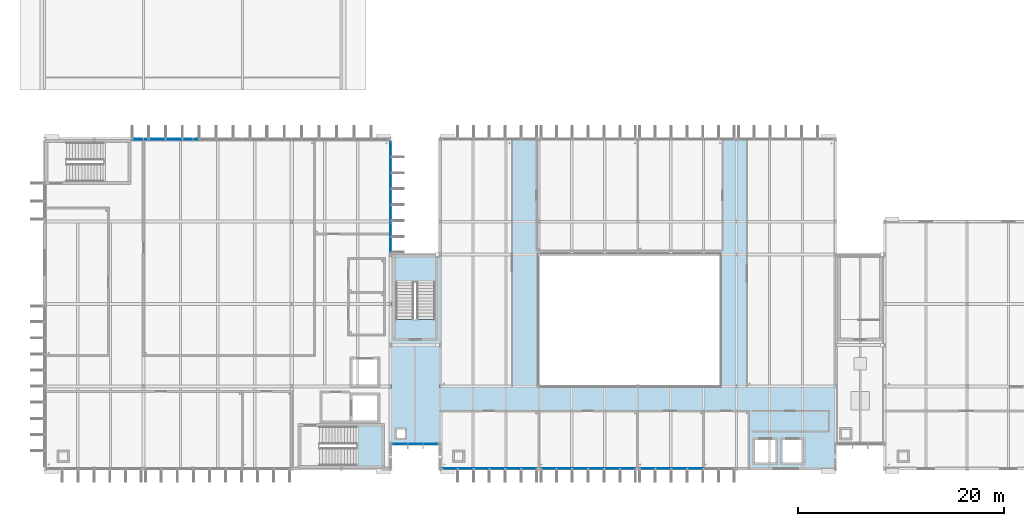
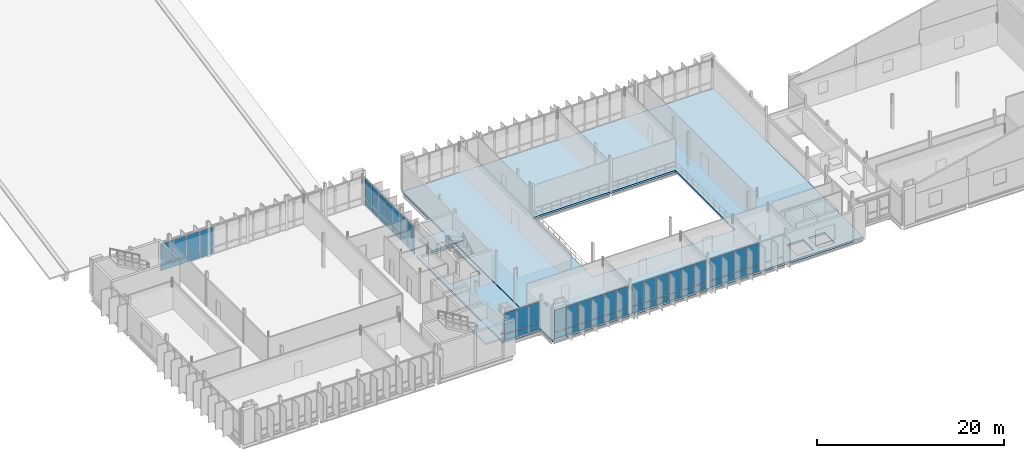
# One storey, part 28 of 59: 60 plates, 4 slabs, 8 elements without a shape of their own.
"""IFC4 building model written with IfcOpenShell, lengths in metres."""

from ifc_helpers import new_model, si_unit, direction, frame, origin, origin_2d, place, context, subcontext, project, spatial, polyline, rectangle, outline, extrude, material, layer, layer_set, type_object, element, aggregate, save


model = new_model("IFC4")

# Units and contexts
model_context = context("Model", 3, precision=1e-05, world=origin(), true_north=direction((0.0, 1.0)))
body_context = subcontext(model_context, "Body", "Model", "MODEL_VIEW")
ifc_project = project(units=[si_unit("LENGTHUNIT", "METRE"), si_unit("AREAUNIT", "SQUARE_METRE"), si_unit("VOLUMEUNIT", "CUBIC_METRE"), si_unit("PLANEANGLEUNIT", "RADIAN"), si_unit("MASSUNIT", "GRAM", prefix="KILO")], contexts=[model_context])

# Site, building, storey
site_placement = place(None, origin())
site = spatial("IfcSite", under=ifc_project, at=site_placement, CompositionType="ELEMENT")
building_placement = place(site_placement, origin())
building = spatial("IfcBuilding", under=site, at=building_placement, Name="Dunescarp Central Library", CompositionType="ELEMENT")
storey_placement = place(building_placement, frame((0.0, 0.0, 18.60009765625)))
storey = spatial("IfcBuildingStorey", under=building, at=storey_placement, Name="L04", CompositionType="ELEMENT", Elevation=18.60009765625)

# Curtain wall, plates
ifc_material_1 = material(Name="Marine-grade anodised aluminium 6063-T6", Category="aluminium")
curtain_wall_type_1 = type_object("IfcCurtainWallType", Name="ARC-CW-STICK", PredefinedType="NOTDEFINED", material=ifc_material_1)
curtain_wall_1_placement = place(storey_placement, origin())
curtain_wall_1 = element("IfcCurtainWall", 1, at=curtain_wall_1_placement, inside=storey, type_object=curtain_wall_type_1, Name="L04 curtain wall CW-V1-027", PredefinedType="NOTDEFINED")
ifc_material_2 = material(Name="Solar-control laminated double glazing", Category="glass")
ifc_layer_1 = layer(ifc_material_2, 0.028076171875)
ifc_layer_set_1 = layer_set([ifc_layer_1], Name="Solar-control laminated double glazing")
plate_type_1 = type_object("IfcPlateType", Name="ARC-PLT-GLZ28", PredefinedType="CURTAIN_PANEL", material=ifc_layer_set_1)
plate_1_placement = place(storey_placement, frame((9.2919921875, 36.800048828125, 0.93994140625), z_axis=(0.0, 0.0, 1.0), x_axis=(1.0, 0.0, 0.0)))
plate_1 = element("IfcPlate", 2, at=plate_1_placement, type_object=plate_type_1, Name="CW-V1-027 panel 1.2", PredefinedType="CURTAIN_PANEL", context=body_context, shape_type="SweptSolid", body=[
    extrude(rectangle(XDim=1.523681640625, YDim=0.028076171875, at=origin_2d()), origin(), (0.0, 0.0, 1.0), 2.64501953125),
])
plate_2_placement = place(storey_placement, frame((10.91552734375, 36.800048828125, 0.93994140625), z_axis=(0.0, 0.0, 1.0), x_axis=(1.0, 0.0, 0.0)))
plate_2 = element("IfcPlate", 3, at=plate_2_placement, type_object=plate_type_1, Name="CW-V1-027 panel 2.2", PredefinedType="CURTAIN_PANEL", context=body_context, shape_type="SweptSolid", body=[
    extrude(rectangle(XDim=1.563720703125, YDim=0.028076171875, at=origin_2d()), origin(), (0.0, 0.0, 1.0), 2.64501953125),
])
plate_3_placement = place(storey_placement, frame((12.559326171875, 36.800048828125, 0.93994140625), z_axis=(0.0, 0.0, 1.0), x_axis=(1.0, 0.0, 0.0)))
plate_3 = element("IfcPlate", 4, at=plate_3_placement, type_object=plate_type_1, Name="CW-V1-027 panel 3.2", PredefinedType="CURTAIN_PANEL", context=body_context, shape_type="SweptSolid", body=[
    extrude(rectangle(XDim=1.563720703125, YDim=0.028076171875, at=origin_2d()), origin(), (0.0, 0.0, 1.0), 2.64501953125),
])
plate_4_placement = place(storey_placement, frame((14.203125, 36.800048828125, 0.93994140625), z_axis=(0.0, 0.0, 1.0), x_axis=(1.0, 0.0, 0.0)))
plate_4 = element("IfcPlate", 5, at=plate_4_placement, type_object=plate_type_1, Name="CW-V1-027 panel 4.2", PredefinedType="CURTAIN_PANEL", context=body_context, shape_type="SweptSolid", body=[
    extrude(rectangle(XDim=1.563720703125, YDim=0.028076171875, at=origin_2d()), origin(), (0.0, 0.0, 1.0), 2.64501953125),
])

curtain_wall_2_placement = place(storey_placement, origin())
curtain_wall_2 = element("IfcCurtainWall", 6, at=curtain_wall_2_placement, inside=storey, type_object=curtain_wall_type_1, Name="L04 curtain wall CW-V1-030", PredefinedType="NOTDEFINED")
plate_5_placement = place(storey_placement, frame((33.60009765625, 35.830078125, 0.93994140625), z_axis=(0.0, 0.0, 1.0), x_axis=(0.0, -1.0, 0.0)))
plate_5 = element("IfcPlate", 7, at=plate_5_placement, type_object=plate_type_1, Name="CW-V1-030 panel 1.2", PredefinedType="CURTAIN_PANEL", context=body_context, shape_type="SweptSolid", body=[
    extrude(rectangle(XDim=1.429931640625, YDim=0.028076171875, at=origin_2d()), origin(), (0.0, 0.0, 1.0), 2.64501953125),
])
plate_6_placement = place(storey_placement, frame((33.60009765625, 34.300048828125, 0.93994140625), z_axis=(0.0, 0.0, 1.0), x_axis=(0.0, -1.0, 0.0)))
plate_6 = element("IfcPlate", 8, at=plate_6_placement, type_object=plate_type_1, Name="CW-V1-030 panel 2.2", PredefinedType="CURTAIN_PANEL", context=body_context, shape_type="SweptSolid", body=[
    extrude(rectangle(XDim=1.469970703125, YDim=0.028076171875, at=origin_2d()), origin(), (0.0, 0.0, 1.0), 2.64501953125),
])
plate_7_placement = place(storey_placement, frame((33.60009765625, 32.75, 0.93994140625), z_axis=(0.0, 0.0, 1.0), x_axis=(0.0, -1.0, 0.0)))
plate_7 = element("IfcPlate", 9, at=plate_7_placement, type_object=plate_type_1, Name="CW-V1-030 panel 3.2", PredefinedType="CURTAIN_PANEL", context=body_context, shape_type="SweptSolid", body=[
    extrude(rectangle(XDim=1.469970703125, YDim=0.028076171875, at=origin_2d()), origin(), (0.0, 0.0, 1.0), 2.64501953125),
])
plate_8_placement = place(storey_placement, frame((33.60009765625, 31.199951171875, 0.93994140625), z_axis=(0.0, 0.0, 1.0), x_axis=(0.0, -1.0, 0.0)))
plate_8 = element("IfcPlate", 10, at=plate_8_placement, type_object=plate_type_1, Name="CW-V1-030 panel 4.2", PredefinedType="CURTAIN_PANEL", context=body_context, shape_type="SweptSolid", body=[
    extrude(rectangle(XDim=1.469970703125, YDim=0.028076171875, at=origin_2d()), origin(), (0.0, 0.0, 1.0), 2.64501953125),
])
plate_9_placement = place(storey_placement, frame((33.60009765625, 29.64990234375, 0.93994140625), z_axis=(0.0, 0.0, 1.0), x_axis=(0.0, -1.0, 0.0)))
plate_9 = element("IfcPlate", 11, at=plate_9_placement, type_object=plate_type_1, Name="CW-V1-030 panel 5.2", PredefinedType="CURTAIN_PANEL", context=body_context, shape_type="SweptSolid", body=[
    extrude(rectangle(XDim=1.469970703125, YDim=0.028076171875, at=origin_2d()), origin(), (0.0, 0.0, 1.0), 2.64501953125),
])
plate_10_placement = place(storey_placement, frame((33.60009765625, 28.10009765625, 0.93994140625), z_axis=(0.0, 0.0, 1.0), x_axis=(0.0, -1.0, 0.0)))
plate_10 = element("IfcPlate", 12, at=plate_10_placement, type_object=plate_type_1, Name="CW-V1-030 panel 6.2", PredefinedType="CURTAIN_PANEL", context=body_context, shape_type="SweptSolid", body=[
    extrude(rectangle(XDim=1.469970703125, YDim=0.028076171875, at=origin_2d()), origin(), (0.0, 0.0, 1.0), 2.64501953125),
])
plate_11_placement = place(storey_placement, frame((33.60009765625, 26.570068359375, 0.93994140625), z_axis=(0.0, 0.0, 1.0), x_axis=(0.0, -1.0, 0.0)))
plate_11 = element("IfcPlate", 13, at=plate_11_placement, type_object=plate_type_1, Name="CW-V1-030 panel 7.2", PredefinedType="CURTAIN_PANEL", context=body_context, shape_type="SweptSolid", body=[
    extrude(rectangle(XDim=1.429931640625, YDim=0.028076171875, at=origin_2d()), origin(), (0.0, 0.0, 1.0), 2.64501953125),
])

curtain_wall_3_placement = place(storey_placement, origin())
curtain_wall_3 = element("IfcCurtainWall", 14, at=curtain_wall_3_placement, inside=storey, type_object=curtain_wall_type_1, Name="L04 curtain wall CW-V2-067", PredefinedType="NOTDEFINED")
plate_12_placement = place(storey_placement, frame((47.0341796875, 4.800048828125, 0.93994140625), z_axis=(0.0, 0.0, 1.0), x_axis=(-1.0, 0.0, 0.0)))
plate_12 = element("IfcPlate", 15, at=plate_12_placement, type_object=plate_type_1, Name="CW-V2-067 panel 1.2", PredefinedType="CURTAIN_PANEL", context=body_context, shape_type="SweptSolid", body=[
    extrude(rectangle(XDim=1.421630859375, YDim=0.028076171875, at=origin_2d()), origin(), (0.0, 0.0, 1.0), 2.8349609375),
])
plate_13_placement = place(storey_placement, frame((45.512451171875, 4.800048828125, 0.93994140625), z_axis=(0.0, 0.0, 1.0), x_axis=(-1.0, 0.0, 0.0)))
plate_13 = element("IfcPlate", 16, at=plate_13_placement, type_object=plate_type_1, Name="CW-V2-067 panel 2.2", PredefinedType="CURTAIN_PANEL", context=body_context, shape_type="SweptSolid", body=[
    extrude(rectangle(XDim=1.461669921875, YDim=0.028076171875, at=origin_2d()), origin(), (0.0, 0.0, 1.0), 2.8349609375),
])
plate_14_placement = place(storey_placement, frame((43.970947265625, 4.800048828125, 0.93994140625), z_axis=(0.0, 0.0, 1.0), x_axis=(-1.0, 0.0, 0.0)))
plate_14 = element("IfcPlate", 17, at=plate_14_placement, type_object=plate_type_1, Name="CW-V2-067 panel 3.2", PredefinedType="CURTAIN_PANEL", context=body_context, shape_type="SweptSolid", body=[
    extrude(rectangle(XDim=1.461669921875, YDim=0.028076171875, at=origin_2d()), origin(), (0.0, 0.0, 1.0), 2.8349609375),
])
plate_15_placement = place(storey_placement, frame((42.42919921875, 4.800048828125, 0.93994140625), z_axis=(0.0, 0.0, 1.0), x_axis=(-1.0, 0.0, 0.0)))
plate_15 = element("IfcPlate", 18, at=plate_15_placement, type_object=plate_type_1, Name="CW-V2-067 panel 4.2", PredefinedType="CURTAIN_PANEL", context=body_context, shape_type="SweptSolid", body=[
    extrude(rectangle(XDim=1.461669921875, YDim=0.028076171875, at=origin_2d()), origin(), (0.0, 0.0, 1.0), 2.8349609375),
])
plate_16_placement = place(storey_placement, frame((40.887451171875, 4.800048828125, 0.93994140625), z_axis=(0.0, 0.0, 1.0), x_axis=(-1.0, 0.0, 0.0)))
plate_16 = element("IfcPlate", 19, at=plate_16_placement, type_object=plate_type_1, Name="CW-V2-067 panel 5.2", PredefinedType="CURTAIN_PANEL", context=body_context, shape_type="SweptSolid", body=[
    extrude(rectangle(XDim=1.461669921875, YDim=0.028076171875, at=origin_2d()), origin(), (0.0, 0.0, 1.0), 2.8349609375),
])
plate_17_placement = place(storey_placement, frame((39.36572265625, 4.800048828125, 0.93994140625), z_axis=(0.0, 0.0, 1.0), x_axis=(-1.0, 0.0, 0.0)))
plate_17 = element("IfcPlate", 20, at=plate_17_placement, type_object=plate_type_1, Name="CW-V2-067 panel 6.2", PredefinedType="CURTAIN_PANEL", context=body_context, shape_type="SweptSolid", body=[
    extrude(rectangle(XDim=1.421630859375, YDim=0.028076171875, at=origin_2d()), origin(), (0.0, 0.0, 1.0), 2.8349609375),
])

curtain_wall_4_placement = place(storey_placement, origin())
curtain_wall_4 = element("IfcCurtainWall", 21, at=curtain_wall_4_placement, inside=storey, type_object=curtain_wall_type_1, Name="L04 curtain wall CW-V2-068", PredefinedType="NOTDEFINED")
plate_18_placement = place(storey_placement, frame((56.63427734375, 4.800048828125, 0.93994140625), z_axis=(0.0, 0.0, 1.0), x_axis=(-1.0, 0.0, 0.0)))
plate_18 = element("IfcPlate", 22, at=plate_18_placement, type_object=plate_type_1, Name="CW-V2-068 panel 1.2", PredefinedType="CURTAIN_PANEL", context=body_context, shape_type="SweptSolid", body=[
    extrude(rectangle(XDim=1.421630859375, YDim=0.028076171875, at=origin_2d()), origin(), (0.0, 0.0, 1.0), 2.8349609375),
])
plate_19_placement = place(storey_placement, frame((55.112548828125, 4.800048828125, 0.93994140625), z_axis=(0.0, 0.0, 1.0), x_axis=(-1.0, 0.0, 0.0)))
plate_19 = element("IfcPlate", 23, at=plate_19_placement, type_object=plate_type_1, Name="CW-V2-068 panel 2.2", PredefinedType="CURTAIN_PANEL", context=body_context, shape_type="SweptSolid", body=[
    extrude(rectangle(XDim=1.461669921875, YDim=0.028076171875, at=origin_2d()), origin(), (0.0, 0.0, 1.0), 2.8349609375),
])
plate_20_placement = place(storey_placement, frame((53.57080078125, 4.800048828125, 0.93994140625), z_axis=(0.0, 0.0, 1.0), x_axis=(-1.0, 0.0, 0.0)))
plate_20 = element("IfcPlate", 24, at=plate_20_placement, type_object=plate_type_1, Name="CW-V2-068 panel 3.2", PredefinedType="CURTAIN_PANEL", context=body_context, shape_type="SweptSolid", body=[
    extrude(rectangle(XDim=1.461669921875, YDim=0.028076171875, at=origin_2d()), origin(), (0.0, 0.0, 1.0), 2.8349609375),
])
plate_21_placement = place(storey_placement, frame((52.029052734375, 4.800048828125, 0.93994140625), z_axis=(0.0, 0.0, 1.0), x_axis=(-1.0, 0.0, 0.0)))
plate_21 = element("IfcPlate", 25, at=plate_21_placement, type_object=plate_type_1, Name="CW-V2-068 panel 4.2", PredefinedType="CURTAIN_PANEL", context=body_context, shape_type="SweptSolid", body=[
    extrude(rectangle(XDim=1.461669921875, YDim=0.028076171875, at=origin_2d()), origin(), (0.0, 0.0, 1.0), 2.8349609375),
])
plate_22_placement = place(storey_placement, frame((50.487548828125, 4.800048828125, 0.93994140625), z_axis=(0.0, 0.0, 1.0), x_axis=(-1.0, 0.0, 0.0)))
plate_22 = element("IfcPlate", 26, at=plate_22_placement, type_object=plate_type_1, Name="CW-V2-068 panel 5.2", PredefinedType="CURTAIN_PANEL", context=body_context, shape_type="SweptSolid", body=[
    extrude(rectangle(XDim=1.461669921875, YDim=0.028076171875, at=origin_2d()), origin(), (0.0, 0.0, 1.0), 2.8349609375),
])
plate_23_placement = place(storey_placement, frame((48.9658203125, 4.800048828125, 0.93994140625), z_axis=(0.0, 0.0, 1.0), x_axis=(-1.0, 0.0, 0.0)))
plate_23 = element("IfcPlate", 27, at=plate_23_placement, type_object=plate_type_1, Name="CW-V2-068 panel 6.2", PredefinedType="CURTAIN_PANEL", context=body_context, shape_type="SweptSolid", body=[
    extrude(rectangle(XDim=1.421630859375, YDim=0.028076171875, at=origin_2d()), origin(), (0.0, 0.0, 1.0), 2.8349609375),
])

curtain_wall_5_placement = place(storey_placement, origin())
curtain_wall_5 = element("IfcCurtainWall", 28, at=curtain_wall_5_placement, inside=storey, type_object=curtain_wall_type_1, Name="L04 curtain wall CW-V2-069", PredefinedType="NOTDEFINED")
plate_24_placement = place(storey_placement, frame((63.1708984375, 4.800048828125, 0.93994140625), z_axis=(0.0, 0.0, 1.0), x_axis=(-1.0, 0.0, 0.0)))
plate_24 = element("IfcPlate", 29, at=plate_24_placement, type_object=plate_type_1, Name="CW-V2-069 panel 3.2", PredefinedType="CURTAIN_PANEL", context=body_context, shape_type="SweptSolid", body=[
    extrude(rectangle(XDim=1.461669921875, YDim=0.028076171875, at=origin_2d()), origin(), (0.0, 0.0, 1.0), 2.8349609375),
])
plate_25_placement = place(storey_placement, frame((61.629150390625, 4.800048828125, 0.93994140625), z_axis=(0.0, 0.0, 1.0), x_axis=(-1.0, 0.0, 0.0)))
plate_25 = element("IfcPlate", 30, at=plate_25_placement, type_object=plate_type_1, Name="CW-V2-069 panel 4.2", PredefinedType="CURTAIN_PANEL", context=body_context, shape_type="SweptSolid", body=[
    extrude(rectangle(XDim=1.461669921875, YDim=0.028076171875, at=origin_2d()), origin(), (0.0, 0.0, 1.0), 2.8349609375),
])
plate_26_placement = place(storey_placement, frame((60.08740234375, 4.800048828125, 0.93994140625), z_axis=(0.0, 0.0, 1.0), x_axis=(-1.0, 0.0, 0.0)))
plate_26 = element("IfcPlate", 31, at=plate_26_placement, type_object=plate_type_1, Name="CW-V2-069 panel 5.2", PredefinedType="CURTAIN_PANEL", context=body_context, shape_type="SweptSolid", body=[
    extrude(rectangle(XDim=1.461669921875, YDim=0.028076171875, at=origin_2d()), origin(), (0.0, 0.0, 1.0), 2.8349609375),
])
plate_27_placement = place(storey_placement, frame((58.56591796875, 4.800048828125, 0.93994140625), z_axis=(0.0, 0.0, 1.0), x_axis=(-1.0, 0.0, 0.0)))
plate_27 = element("IfcPlate", 32, at=plate_27_placement, type_object=plate_type_1, Name="CW-V2-069 panel 6.2", PredefinedType="CURTAIN_PANEL", context=body_context, shape_type="SweptSolid", body=[
    extrude(rectangle(XDim=1.421630859375, YDim=0.028076171875, at=origin_2d()), origin(), (0.0, 0.0, 1.0), 2.8349609375),
])

curtain_wall_type_2 = type_object("IfcCurtainWallType", Name="ARC-CW-LINK", PredefinedType="USERDEFINED", material=ifc_material_1)
curtain_wall_6_placement = place(storey_placement, origin())
curtain_wall_6 = element("IfcCurtainWall", 33, at=curtain_wall_6_placement, inside=storey, type_object=curtain_wall_type_2, Name="L04 curtain wall CW-GL1-S-L04", ObjectType="GLAZED_LINK_WALL", PredefinedType="USERDEFINED")
plate_28_placement = place(storey_placement, frame((37.46337890625, 7.199951171875, 0.93994140625), z_axis=(0.0, 0.0, 1.0), x_axis=(-1.0, 0.0, 0.0)))
plate_28 = element("IfcPlate", 34, at=plate_28_placement, type_object=plate_type_1, Name="CW-GL1-S-L04 panel 1.2", PredefinedType="CURTAIN_PANEL", context=body_context, shape_type="SweptSolid", body=[
    extrude(rectangle(XDim=1.36328125, YDim=0.028076171875, at=origin_2d()), origin(), (0.0, 0.0, 1.0), 2.69091796875),
])
plate_29_placement = place(storey_placement, frame((36.0, 7.199951171875, 0.93994140625), z_axis=(0.0, 0.0, 1.0), x_axis=(-1.0, 0.0, 0.0)))
plate_29 = element("IfcPlate", 35, at=plate_29_placement, type_object=plate_type_1, Name="CW-GL1-S-L04 panel 2.2", PredefinedType="CURTAIN_PANEL", context=body_context, shape_type="SweptSolid", body=[
    extrude(rectangle(XDim=1.4033203125, YDim=0.028076171875, at=origin_2d()), origin(), (0.0, 0.0, 1.0), 2.69091796875),
])
plate_30_placement = place(storey_placement, frame((34.53662109375, 7.199951171875, 0.93994140625), z_axis=(0.0, 0.0, 1.0), x_axis=(-1.0, 0.0, 0.0)))
plate_30 = element("IfcPlate", 36, at=plate_30_placement, type_object=plate_type_1, Name="CW-GL1-S-L04 panel 3.2", PredefinedType="CURTAIN_PANEL", context=body_context, shape_type="SweptSolid", body=[
    extrude(rectangle(XDim=1.36328125, YDim=0.028076171875, at=origin_2d()), origin(), (0.0, 0.0, 1.0), 2.69091796875),
])

# Plate
ifc_layer_2 = layer(ifc_material_1, 0.050048828125)
ifc_layer_set_2 = layer_set([ifc_layer_2], Name="Marine-grade anodised aluminium 6063-T6")
plate_type_2 = type_object("IfcPlateType", Name="ARC-PLT-SPN50", PredefinedType="SHEET", material=ifc_layer_set_2)
plate_31_placement = place(storey_placement, frame((9.2919921875, 36.800048828125, 0.080078125), z_axis=(0.0, 0.0, 1.0), x_axis=(1.0, 0.0, 0.0)))
plate_31 = element("IfcPlate", 37, at=plate_31_placement, type_object=plate_type_2, Name="CW-V1-027 panel 1.1", PredefinedType="SHEET", context=body_context, shape_type="SweptSolid", body=[
    extrude(rectangle(XDim=1.523681640625, YDim=0.050048828125, at=origin_2d()), origin(), (0.0, 0.0, 1.0), 0.780029296875),
])

plate_32_placement = place(storey_placement, frame((10.91552734375, 36.800048828125, 0.080078125), z_axis=(0.0, 0.0, 1.0), x_axis=(1.0, 0.0, 0.0)))
plate_32 = element("IfcPlate", 38, at=plate_32_placement, type_object=plate_type_2, Name="CW-V1-027 panel 2.1", PredefinedType="SHEET", context=body_context, shape_type="SweptSolid", body=[
    extrude(rectangle(XDim=1.563720703125, YDim=0.050048828125, at=origin_2d()), origin(), (0.0, 0.0, 1.0), 0.780029296875),
])

plate_33_placement = place(storey_placement, frame((12.559326171875, 36.800048828125, 0.080078125), z_axis=(0.0, 0.0, 1.0), x_axis=(1.0, 0.0, 0.0)))
plate_33 = element("IfcPlate", 39, at=plate_33_placement, type_object=plate_type_2, Name="CW-V1-027 panel 3.1", PredefinedType="SHEET", context=body_context, shape_type="SweptSolid", body=[
    extrude(rectangle(XDim=1.563720703125, YDim=0.050048828125, at=origin_2d()), origin(), (0.0, 0.0, 1.0), 0.780029296875),
])

plate_34_placement = place(storey_placement, frame((14.203125, 36.800048828125, 0.080078125), z_axis=(0.0, 0.0, 1.0), x_axis=(1.0, 0.0, 0.0)))
plate_34 = element("IfcPlate", 40, at=plate_34_placement, type_object=plate_type_2, Name="CW-V1-027 panel 4.1", PredefinedType="SHEET", context=body_context, shape_type="SweptSolid", body=[
    extrude(rectangle(XDim=1.563720703125, YDim=0.050048828125, at=origin_2d()), origin(), (0.0, 0.0, 1.0), 0.780029296875),
])

aggregate(curtain_wall_1, [plate_31, plate_1, plate_32, plate_2, plate_33, plate_3, plate_34, plate_4])

plate_35_placement = place(storey_placement, frame((33.60009765625, 35.830078125, 0.080078125), z_axis=(0.0, 0.0, 1.0), x_axis=(0.0, -1.0, 0.0)))
plate_35 = element("IfcPlate", 41, at=plate_35_placement, type_object=plate_type_2, Name="CW-V1-030 panel 1.1", PredefinedType="SHEET", context=body_context, shape_type="SweptSolid", body=[
    extrude(rectangle(XDim=1.429931640625, YDim=0.050048828125, at=origin_2d()), origin(), (0.0, 0.0, 1.0), 0.780029296875),
])

plate_36_placement = place(storey_placement, frame((33.60009765625, 34.300048828125, 0.080078125), z_axis=(0.0, 0.0, 1.0), x_axis=(0.0, -1.0, 0.0)))
plate_36 = element("IfcPlate", 42, at=plate_36_placement, type_object=plate_type_2, Name="CW-V1-030 panel 2.1", PredefinedType="SHEET", context=body_context, shape_type="SweptSolid", body=[
    extrude(rectangle(XDim=1.469970703125, YDim=0.050048828125, at=origin_2d()), origin(), (0.0, 0.0, 1.0), 0.780029296875),
])

plate_37_placement = place(storey_placement, frame((33.60009765625, 32.75, 0.080078125), z_axis=(0.0, 0.0, 1.0), x_axis=(0.0, -1.0, 0.0)))
plate_37 = element("IfcPlate", 43, at=plate_37_placement, type_object=plate_type_2, Name="CW-V1-030 panel 3.1", PredefinedType="SHEET", context=body_context, shape_type="SweptSolid", body=[
    extrude(rectangle(XDim=1.469970703125, YDim=0.050048828125, at=origin_2d()), origin(), (0.0, 0.0, 1.0), 0.780029296875),
])

plate_38_placement = place(storey_placement, frame((33.60009765625, 31.199951171875, 0.080078125), z_axis=(0.0, 0.0, 1.0), x_axis=(0.0, -1.0, 0.0)))
plate_38 = element("IfcPlate", 44, at=plate_38_placement, type_object=plate_type_2, Name="CW-V1-030 panel 4.1", PredefinedType="SHEET", context=body_context, shape_type="SweptSolid", body=[
    extrude(rectangle(XDim=1.469970703125, YDim=0.050048828125, at=origin_2d()), origin(), (0.0, 0.0, 1.0), 0.780029296875),
])

plate_39_placement = place(storey_placement, frame((33.60009765625, 29.64990234375, 0.080078125), z_axis=(0.0, 0.0, 1.0), x_axis=(0.0, -1.0, 0.0)))
plate_39 = element("IfcPlate", 45, at=plate_39_placement, type_object=plate_type_2, Name="CW-V1-030 panel 5.1", PredefinedType="SHEET", context=body_context, shape_type="SweptSolid", body=[
    extrude(rectangle(XDim=1.469970703125, YDim=0.050048828125, at=origin_2d()), origin(), (0.0, 0.0, 1.0), 0.780029296875),
])

plate_40_placement = place(storey_placement, frame((33.60009765625, 28.10009765625, 0.080078125), z_axis=(0.0, 0.0, 1.0), x_axis=(0.0, -1.0, 0.0)))
plate_40 = element("IfcPlate", 46, at=plate_40_placement, type_object=plate_type_2, Name="CW-V1-030 panel 6.1", PredefinedType="SHEET", context=body_context, shape_type="SweptSolid", body=[
    extrude(rectangle(XDim=1.469970703125, YDim=0.050048828125, at=origin_2d()), origin(), (0.0, 0.0, 1.0), 0.780029296875),
])

plate_41_placement = place(storey_placement, frame((33.60009765625, 26.570068359375, 0.080078125), z_axis=(0.0, 0.0, 1.0), x_axis=(0.0, -1.0, 0.0)))
plate_41 = element("IfcPlate", 47, at=plate_41_placement, type_object=plate_type_2, Name="CW-V1-030 panel 7.1", PredefinedType="SHEET", context=body_context, shape_type="SweptSolid", body=[
    extrude(rectangle(XDim=1.429931640625, YDim=0.050048828125, at=origin_2d()), origin(), (0.0, 0.0, 1.0), 0.780029296875),
])

aggregate(curtain_wall_2, [plate_35, plate_5, plate_36, plate_6, plate_37, plate_7, plate_38, plate_8, plate_39, plate_9, plate_40, plate_10, plate_41, plate_11])

plate_42_placement = place(storey_placement, frame((47.0341796875, 4.800048828125, 0.080078125), z_axis=(0.0, 0.0, 1.0), x_axis=(-1.0, 0.0, 0.0)))
plate_42 = element("IfcPlate", 48, at=plate_42_placement, type_object=plate_type_2, Name="CW-V2-067 panel 1.1", PredefinedType="SHEET", context=body_context, shape_type="SweptSolid", body=[
    extrude(rectangle(XDim=1.421630859375, YDim=0.050048828125, at=origin_2d()), origin(), (0.0, 0.0, 1.0), 0.780029296875),
])

plate_43_placement = place(storey_placement, frame((45.512451171875, 4.800048828125, 0.080078125), z_axis=(0.0, 0.0, 1.0), x_axis=(-1.0, 0.0, 0.0)))
plate_43 = element("IfcPlate", 49, at=plate_43_placement, type_object=plate_type_2, Name="CW-V2-067 panel 2.1", PredefinedType="SHEET", context=body_context, shape_type="SweptSolid", body=[
    extrude(rectangle(XDim=1.461669921875, YDim=0.050048828125, at=origin_2d()), origin(), (0.0, 0.0, 1.0), 0.780029296875),
])

plate_44_placement = place(storey_placement, frame((43.970947265625, 4.800048828125, 0.080078125), z_axis=(0.0, 0.0, 1.0), x_axis=(-1.0, 0.0, 0.0)))
plate_44 = element("IfcPlate", 50, at=plate_44_placement, type_object=plate_type_2, Name="CW-V2-067 panel 3.1", PredefinedType="SHEET", context=body_context, shape_type="SweptSolid", body=[
    extrude(rectangle(XDim=1.461669921875, YDim=0.050048828125, at=origin_2d()), origin(), (0.0, 0.0, 1.0), 0.780029296875),
])

plate_45_placement = place(storey_placement, frame((42.42919921875, 4.800048828125, 0.080078125), z_axis=(0.0, 0.0, 1.0), x_axis=(-1.0, 0.0, 0.0)))
plate_45 = element("IfcPlate", 51, at=plate_45_placement, type_object=plate_type_2, Name="CW-V2-067 panel 4.1", PredefinedType="SHEET", context=body_context, shape_type="SweptSolid", body=[
    extrude(rectangle(XDim=1.461669921875, YDim=0.050048828125, at=origin_2d()), origin(), (0.0, 0.0, 1.0), 0.780029296875),
])

plate_46_placement = place(storey_placement, frame((40.887451171875, 4.800048828125, 0.080078125), z_axis=(0.0, 0.0, 1.0), x_axis=(-1.0, 0.0, 0.0)))
plate_46 = element("IfcPlate", 52, at=plate_46_placement, type_object=plate_type_2, Name="CW-V2-067 panel 5.1", PredefinedType="SHEET", context=body_context, shape_type="SweptSolid", body=[
    extrude(rectangle(XDim=1.461669921875, YDim=0.050048828125, at=origin_2d()), origin(), (0.0, 0.0, 1.0), 0.780029296875),
])

plate_47_placement = place(storey_placement, frame((39.36572265625, 4.800048828125, 0.080078125), z_axis=(0.0, 0.0, 1.0), x_axis=(-1.0, 0.0, 0.0)))
plate_47 = element("IfcPlate", 53, at=plate_47_placement, type_object=plate_type_2, Name="CW-V2-067 panel 6.1", PredefinedType="SHEET", context=body_context, shape_type="SweptSolid", body=[
    extrude(rectangle(XDim=1.421630859375, YDim=0.050048828125, at=origin_2d()), origin(), (0.0, 0.0, 1.0), 0.780029296875),
])

aggregate(curtain_wall_3, [plate_42, plate_12, plate_43, plate_13, plate_44, plate_14, plate_45, plate_15, plate_46, plate_16, plate_47, plate_17])

plate_48_placement = place(storey_placement, frame((56.63427734375, 4.800048828125, 0.080078125), z_axis=(0.0, 0.0, 1.0), x_axis=(-1.0, 0.0, 0.0)))
plate_48 = element("IfcPlate", 54, at=plate_48_placement, type_object=plate_type_2, Name="CW-V2-068 panel 1.1", PredefinedType="SHEET", context=body_context, shape_type="SweptSolid", body=[
    extrude(rectangle(XDim=1.421630859375, YDim=0.050048828125, at=origin_2d()), origin(), (0.0, 0.0, 1.0), 0.780029296875),
])

plate_49_placement = place(storey_placement, frame((55.112548828125, 4.800048828125, 0.080078125), z_axis=(0.0, 0.0, 1.0), x_axis=(-1.0, 0.0, 0.0)))
plate_49 = element("IfcPlate", 55, at=plate_49_placement, type_object=plate_type_2, Name="CW-V2-068 panel 2.1", PredefinedType="SHEET", context=body_context, shape_type="SweptSolid", body=[
    extrude(rectangle(XDim=1.461669921875, YDim=0.050048828125, at=origin_2d()), origin(), (0.0, 0.0, 1.0), 0.780029296875),
])

plate_50_placement = place(storey_placement, frame((53.57080078125, 4.800048828125, 0.080078125), z_axis=(0.0, 0.0, 1.0), x_axis=(-1.0, 0.0, 0.0)))
plate_50 = element("IfcPlate", 56, at=plate_50_placement, type_object=plate_type_2, Name="CW-V2-068 panel 3.1", PredefinedType="SHEET", context=body_context, shape_type="SweptSolid", body=[
    extrude(rectangle(XDim=1.461669921875, YDim=0.050048828125, at=origin_2d()), origin(), (0.0, 0.0, 1.0), 0.780029296875),
])

plate_51_placement = place(storey_placement, frame((52.029052734375, 4.800048828125, 0.080078125), z_axis=(0.0, 0.0, 1.0), x_axis=(-1.0, 0.0, 0.0)))
plate_51 = element("IfcPlate", 57, at=plate_51_placement, type_object=plate_type_2, Name="CW-V2-068 panel 4.1", PredefinedType="SHEET", context=body_context, shape_type="SweptSolid", body=[
    extrude(rectangle(XDim=1.461669921875, YDim=0.050048828125, at=origin_2d()), origin(), (0.0, 0.0, 1.0), 0.780029296875),
])

plate_52_placement = place(storey_placement, frame((50.487548828125, 4.800048828125, 0.080078125), z_axis=(0.0, 0.0, 1.0), x_axis=(-1.0, 0.0, 0.0)))
plate_52 = element("IfcPlate", 58, at=plate_52_placement, type_object=plate_type_2, Name="CW-V2-068 panel 5.1", PredefinedType="SHEET", context=body_context, shape_type="SweptSolid", body=[
    extrude(rectangle(XDim=1.461669921875, YDim=0.050048828125, at=origin_2d()), origin(), (0.0, 0.0, 1.0), 0.780029296875),
])

plate_53_placement = place(storey_placement, frame((48.9658203125, 4.800048828125, 0.080078125), z_axis=(0.0, 0.0, 1.0), x_axis=(-1.0, 0.0, 0.0)))
plate_53 = element("IfcPlate", 59, at=plate_53_placement, type_object=plate_type_2, Name="CW-V2-068 panel 6.1", PredefinedType="SHEET", context=body_context, shape_type="SweptSolid", body=[
    extrude(rectangle(XDim=1.421630859375, YDim=0.050048828125, at=origin_2d()), origin(), (0.0, 0.0, 1.0), 0.780029296875),
])

aggregate(curtain_wall_4, [plate_48, plate_18, plate_49, plate_19, plate_50, plate_20, plate_51, plate_21, plate_52, plate_22, plate_53, plate_23])

plate_54_placement = place(storey_placement, frame((63.1708984375, 4.800048828125, 0.080078125), z_axis=(0.0, 0.0, 1.0), x_axis=(-1.0, 0.0, 0.0)))
plate_54 = element("IfcPlate", 60, at=plate_54_placement, type_object=plate_type_2, Name="CW-V2-069 panel 3.1", PredefinedType="SHEET", context=body_context, shape_type="SweptSolid", body=[
    extrude(rectangle(XDim=1.461669921875, YDim=0.050048828125, at=origin_2d()), origin(), (0.0, 0.0, 1.0), 0.780029296875),
])

plate_55_placement = place(storey_placement, frame((61.629150390625, 4.800048828125, 0.080078125), z_axis=(0.0, 0.0, 1.0), x_axis=(-1.0, 0.0, 0.0)))
plate_55 = element("IfcPlate", 61, at=plate_55_placement, type_object=plate_type_2, Name="CW-V2-069 panel 4.1", PredefinedType="SHEET", context=body_context, shape_type="SweptSolid", body=[
    extrude(rectangle(XDim=1.461669921875, YDim=0.050048828125, at=origin_2d()), origin(), (0.0, 0.0, 1.0), 0.780029296875),
])

plate_56_placement = place(storey_placement, frame((60.08740234375, 4.800048828125, 0.080078125), z_axis=(0.0, 0.0, 1.0), x_axis=(-1.0, 0.0, 0.0)))
plate_56 = element("IfcPlate", 62, at=plate_56_placement, type_object=plate_type_2, Name="CW-V2-069 panel 5.1", PredefinedType="SHEET", context=body_context, shape_type="SweptSolid", body=[
    extrude(rectangle(XDim=1.461669921875, YDim=0.050048828125, at=origin_2d()), origin(), (0.0, 0.0, 1.0), 0.780029296875),
])

plate_57_placement = place(storey_placement, frame((58.56591796875, 4.800048828125, 0.080078125), z_axis=(0.0, 0.0, 1.0), x_axis=(-1.0, 0.0, 0.0)))
plate_57 = element("IfcPlate", 63, at=plate_57_placement, type_object=plate_type_2, Name="CW-V2-069 panel 6.1", PredefinedType="SHEET", context=body_context, shape_type="SweptSolid", body=[
    extrude(rectangle(XDim=1.421630859375, YDim=0.050048828125, at=origin_2d()), origin(), (0.0, 0.0, 1.0), 0.780029296875),
])

aggregate(curtain_wall_5, [plate_54, plate_24, plate_55, plate_25, plate_56, plate_26, plate_57, plate_27])

plate_58_placement = place(storey_placement, frame((37.46337890625, 7.199951171875, 0.080078125), z_axis=(0.0, 0.0, 1.0), x_axis=(-1.0, 0.0, 0.0)))
plate_58 = element("IfcPlate", 64, at=plate_58_placement, type_object=plate_type_2, Name="CW-GL1-S-L04 panel 1.1", PredefinedType="SHEET", context=body_context, shape_type="SweptSolid", body=[
    extrude(rectangle(XDim=1.36328125, YDim=0.050048828125, at=origin_2d()), origin(), (0.0, 0.0, 1.0), 0.780029296875),
])

plate_59_placement = place(storey_placement, frame((36.0, 7.199951171875, 0.080078125), z_axis=(0.0, 0.0, 1.0), x_axis=(-1.0, 0.0, 0.0)))
plate_59 = element("IfcPlate", 65, at=plate_59_placement, type_object=plate_type_2, Name="CW-GL1-S-L04 panel 2.1", PredefinedType="SHEET", context=body_context, shape_type="SweptSolid", body=[
    extrude(rectangle(XDim=1.4033203125, YDim=0.050048828125, at=origin_2d()), origin(), (0.0, 0.0, 1.0), 0.780029296875),
])

plate_60_placement = place(storey_placement, frame((34.53662109375, 7.199951171875, 0.080078125), z_axis=(0.0, 0.0, 1.0), x_axis=(-1.0, 0.0, 0.0)))
plate_60 = element("IfcPlate", 66, at=plate_60_placement, type_object=plate_type_2, Name="CW-GL1-S-L04 panel 3.1", PredefinedType="SHEET", context=body_context, shape_type="SweptSolid", body=[
    extrude(rectangle(XDim=1.36328125, YDim=0.050048828125, at=origin_2d()), origin(), (0.0, 0.0, 1.0), 0.780029296875),
])

aggregate(curtain_wall_6, [plate_58, plate_28, plate_59, plate_29, plate_60, plate_30])

# Stair, slab
ifc_material_3 = material(Name="Concrete C35/45", Category="concrete")
stair_type = type_object("IfcStairType", Name="ARC-STR-TYP", PredefinedType="HALF_TURN_STAIR", material=ifc_material_3)
stair_1_placement = place(storey_placement, origin())
stair_1 = element("IfcStair", 67, at=stair_1_placement, inside=storey, type_object=stair_type, Name="L04 Protected escape stair ST-1", PredefinedType="HALF_TURN_STAIR")
ifc_layer_3 = layer(ifc_material_3, 0.199951171875)
ifc_layer_set_3 = layer_set([ifc_layer_3], Name="Concrete C35/45")
slab_type_1 = type_object("IfcSlabType", Name="STR-SLB-LAND200", PredefinedType="LANDING", material=ifc_layer_set_3)
slab_1_placement = place(storey_placement, frame((0.0, 0.0, 2.0498046875)))
slab_1 = element("IfcSlab", 68, at=slab_1_placement, type_object=slab_type_1, Name="ST-1 landing 1", PredefinedType="LANDING", context=body_context, shape_type="SweptSolid", body=[
    extrude(outline(polyline([(30.284912109375, 4.949951171875), (32.85009765625, 4.949951171875), (32.85009765625, 9.050048828125), (30.284912109375, 9.050048828125), (30.284912109375, 4.949951171875)])), origin(), (0.0, 0.0, 1.0), 0.2001953125),
])
aggregate(stair_1, [slab_1])

stair_2_placement = place(storey_placement, origin())
stair_2 = element("IfcStair", 69, at=stair_2_placement, inside=storey, type_object=stair_type, Name="L04 Protected escape stair ST-2", PredefinedType="HALF_TURN_STAIR")
slab_2_placement = place(storey_placement, frame((0.0, 0.0, 2.0498046875)))
slab_2 = element("IfcSlab", 70, at=slab_2_placement, type_object=slab_type_1, Name="ST-2 landing 1", PredefinedType="LANDING", context=body_context, shape_type="SweptSolid", body=[
    extrude(outline(polyline([(33.949951171875, 22.885009765625), (38.050048828125, 22.885009765625), (38.050048828125, 25.449951171875), (33.949951171875, 25.449951171875), (33.949951171875, 22.885009765625)])), origin(), (0.0, 0.0, 1.0), 0.2001953125),
])
aggregate(stair_2, [slab_2])

# Slabs
ifc_layer_4 = layer(ifc_material_3, 0.25)
ifc_layer_set_4 = layer_set([ifc_layer_4], Name="Concrete C35/45")
slab_type_2 = type_object("IfcSlabType", Name="STR-SLB-VAULT250", PredefinedType="FLOOR", material=ifc_layer_set_4)
slab_3_placement = place(storey_placement, frame((0.0, 0.0, -0.25)))
element("IfcSlab", 71, at=slab_3_placement, inside=storey, type_object=slab_type_2, Name="L04 V2 slab", PredefinedType="FLOOR", context=body_context, shape_type="SweptSolid", body=[
    extrude(outline(polyline([(38.39990234375, 4.800048828125), (76.800048828125, 4.800048828125), (76.800048828125, 36.800048828125), (38.39990234375, 36.800048828125), (38.39990234375, 4.800048828125)]), holes=[polyline([(69.0, 5.39990234375), (71.0, 5.39990234375), (71.0, 7.60009765625), (69.0, 7.60009765625), (69.0, 5.39990234375)]), polyline([(71.64990234375, 5.39990234375), (73.64990234375, 5.39990234375), (73.64990234375, 7.60009765625), (71.64990234375, 7.60009765625), (71.64990234375, 5.39990234375)]), polyline([(48.0, 12.800048828125), (65.60009765625, 12.800048828125), (65.60009765625, 25.60009765625), (48.0, 25.60009765625), (48.0, 12.800048828125)]), polyline([(39.800048828125, 5.60009765625), (40.60009765625, 5.60009765625), (40.60009765625, 6.39990234375), (39.800048828125, 6.39990234375), (39.800048828125, 5.60009765625)])]), origin(), (0.0, 0.0, 1.0), 0.25),
])
slab_4_placement = place(storey_placement, frame((0.0, 0.0, -0.25)))
element("IfcSlab", 72, at=slab_4_placement, inside=storey, type_object=slab_type_2, Name="L04 GL1 slab", PredefinedType="FLOOR", context=body_context, shape_type="SweptSolid", body=[
    extrude(outline(polyline([(33.64990234375, 7.199951171875), (38.35009765625, 7.199951171875), (38.35009765625, 25.60009765625), (33.64990234375, 25.60009765625), (33.64990234375, 7.199951171875)]), holes=[polyline([(34.10009765625, 19.31494140625), (37.89990234375, 19.31494140625), (37.89990234375, 25.300048828125), (34.10009765625, 25.300048828125), (34.10009765625, 19.31494140625)]), polyline([(34.199951171875, 7.800048828125), (35.0, 7.800048828125), (35.0, 8.60009765625), (34.199951171875, 8.60009765625), (34.199951171875, 7.800048828125)])]), origin(), (0.0, 0.0, 1.0), 0.25),
])

save(model, "model.ifc")
